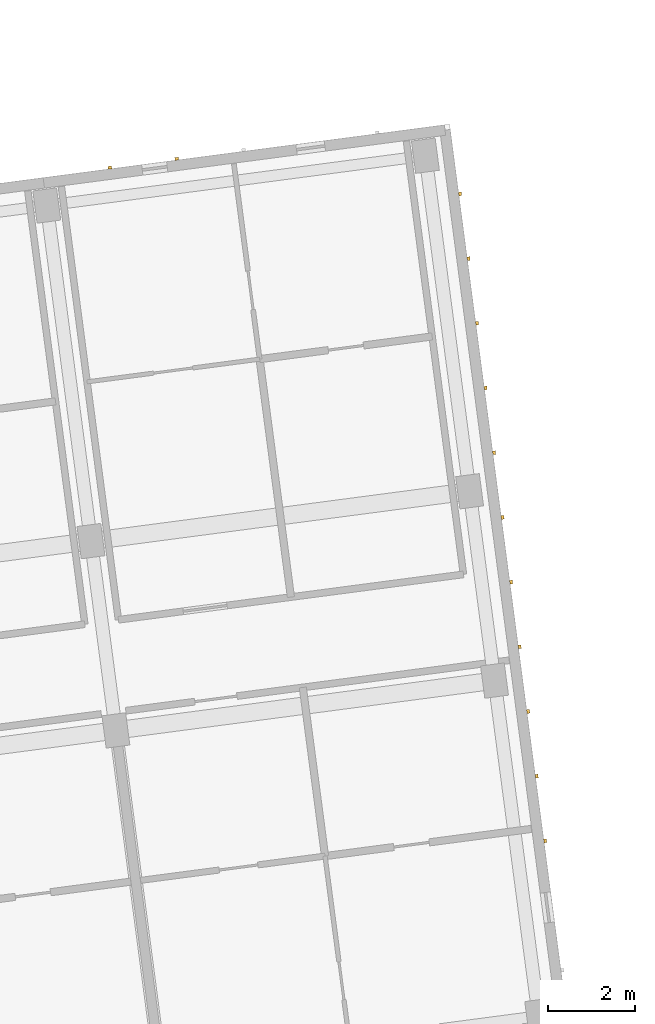
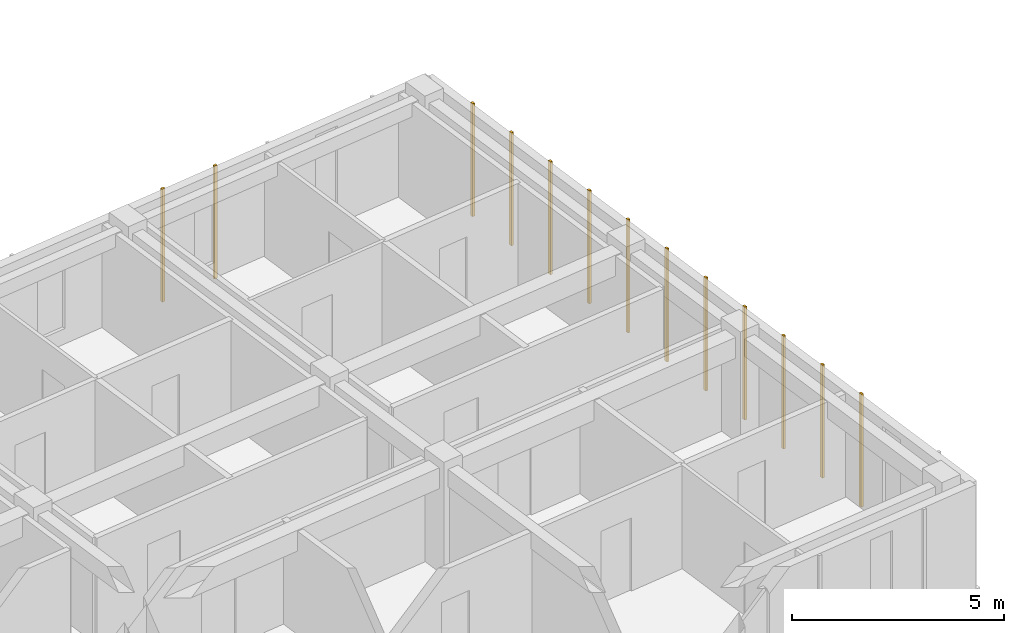
# One storey, part 46 of 64: 13 coverings.
"""IFC4 building model written with IfcOpenShell, lengths in metres."""

from ifc_helpers import new_model, si_unit, direction, frame, origin, origin_2d, place, context, subcontext, project, spatial, rectangle, extrude, material, layer, layer_set, type_object, element, save


model = new_model("IFC4")

# Units and contexts
model_context = context("Model", 3, precision=1e-05, world=origin(), true_north=direction((0.0, 1.0)))
body_context = subcontext(model_context, "Body", "Model", "MODEL_VIEW")
ifc_project = project(units=[si_unit("LENGTHUNIT", "METRE"), si_unit("AREAUNIT", "SQUARE_METRE"), si_unit("VOLUMEUNIT", "CUBIC_METRE"), si_unit("PLANEANGLEUNIT", "RADIAN"), si_unit("MASSUNIT", "GRAM", prefix="KILO")], contexts=[model_context])

# Site, building, storey
site_placement = place(None, origin())
site = spatial("IfcSite", under=ifc_project, at=site_placement, CompositionType="ELEMENT")
building_placement = place(site_placement, origin())
building = spatial("IfcBuilding", under=site, at=building_placement, Name="Kestramere Prow Commons", CompositionType="ELEMENT")
storey_placement = place(building_placement, frame((0.0, 0.0, 24.64990234375)))
storey = spatial("IfcBuildingStorey", under=building, at=storey_placement, Name="L07", CompositionType="ELEMENT", Elevation=24.64990234375)

# Coverings
ifc_material = material(Name="Weathered Zinc-Titanium Standing-Seam Cladding")
ifc_layer = layer(ifc_material, 0.074951171875)
ifc_layer_set = layer_set([ifc_layer], Name="Weathered Zinc-Titanium Standing-Seam Cladding")
covering_type = type_object("IfcCoveringType", Name="COV-CLAD-SEAM", PredefinedType="CLADDING", material=ifc_layer_set)
for number, where, z_axis, x_axis, name in (
    (1, (53.66552734375, 98.446533203125, -0.25), (0.0, 0.0, 1.0), (0.991444861374, 0.13052619222, 0.0), "EW-A-L07-N-5 Standing-Seam Rib 1"),
    (2, (55.206298828125, 98.6494140625, -0.25), (0.0, 0.0, 1.0), (0.991444861374, 0.13052619222, 0.0), "EW-A-L07-N-5 Standing-Seam Rib 2"),
    (3, (61.7373046875, 97.8388671875, -0.25), (0.0, 0.0, 1.0), (0.13052619222, -0.991444861374, 0.0), "EW-A-L07-EAV Standing-Seam Rib 1"),
    (4, (61.933349609375, 96.34814453125, -0.25), (0.0, 0.0, 1.0), (0.13052619222, -0.991444861374, 0.0), "EW-A-L07-EAV Standing-Seam Rib 2"),
    (5, (62.129638671875, 94.857421875, -0.25), (0.0, 0.0, 1.0), (0.13052619222, -0.991444861374, 0.0), "EW-A-L07-EAV Standing-Seam Rib 3"),
    (6, (62.325927734375, 93.36669921875, -0.25), (0.0, 0.0, 1.0), (0.13052619222, -0.991444861374, 0.0), "EW-A-L07-EAV Standing-Seam Rib 4"),
    (7, (62.522216796875, 91.8759765625, -0.25), (0.0, 0.0, 1.0), (0.13052619222, -0.991444861374, 0.0), "EW-A-L07-EAV Standing-Seam Rib 5"),
    (8, (62.718505859375, 90.38525390625, -0.25), (0.0, 0.0, 1.0), (0.13052619222, -0.991444861374, 0.0), "EW-A-L07-EAV Standing-Seam Rib 6"),
    (9, (62.914794921875, 88.894775390625, -0.25), (0.0, 0.0, 1.0), (0.13052619222, -0.991444861374, 0.0), "EW-A-L07-EAV Standing-Seam Rib 7"),
    (10, (63.111083984375, 87.404052734375, -0.25), (0.0, 0.0, 1.0), (0.13052619222, -0.991444861374, 0.0), "EW-A-L07-EAV Standing-Seam Rib 8"),
    (11, (63.30712890625, 85.913330078125, -0.25), (0.0, 0.0, 1.0), (0.13052619222, -0.991444861374, 0.0), "EW-A-L07-EAV Standing-Seam Rib 9"),
    (12, (63.50341796875, 84.422607421875, -0.25), (0.0, 0.0, 1.0), (0.13052619222, -0.991444861374, 0.0), "EW-A-L07-EAV Standing-Seam Rib 10"),
    (13, (63.69970703125, 82.931884765625, -0.25), (0.0, 0.0, 1.0), (0.13052619222, -0.991444861374, 0.0), "EW-A-L07-EAV Standing-Seam Rib 11"),
):
    element("IfcCovering", number, at=place(storey_placement, frame(where, z_axis=z_axis, x_axis=x_axis)), inside=storey, type_object=covering_type, Name=name, PredefinedType="CLADDING", context=body_context, shape_type="SweptSolid", body=[
        extrude(rectangle(XDim=0.0849609375, YDim=0.06494140625, at=origin_2d()), origin(), (0.0, 0.0, 1.0), 3.25),
    ])

save(model, "model.ifc")
